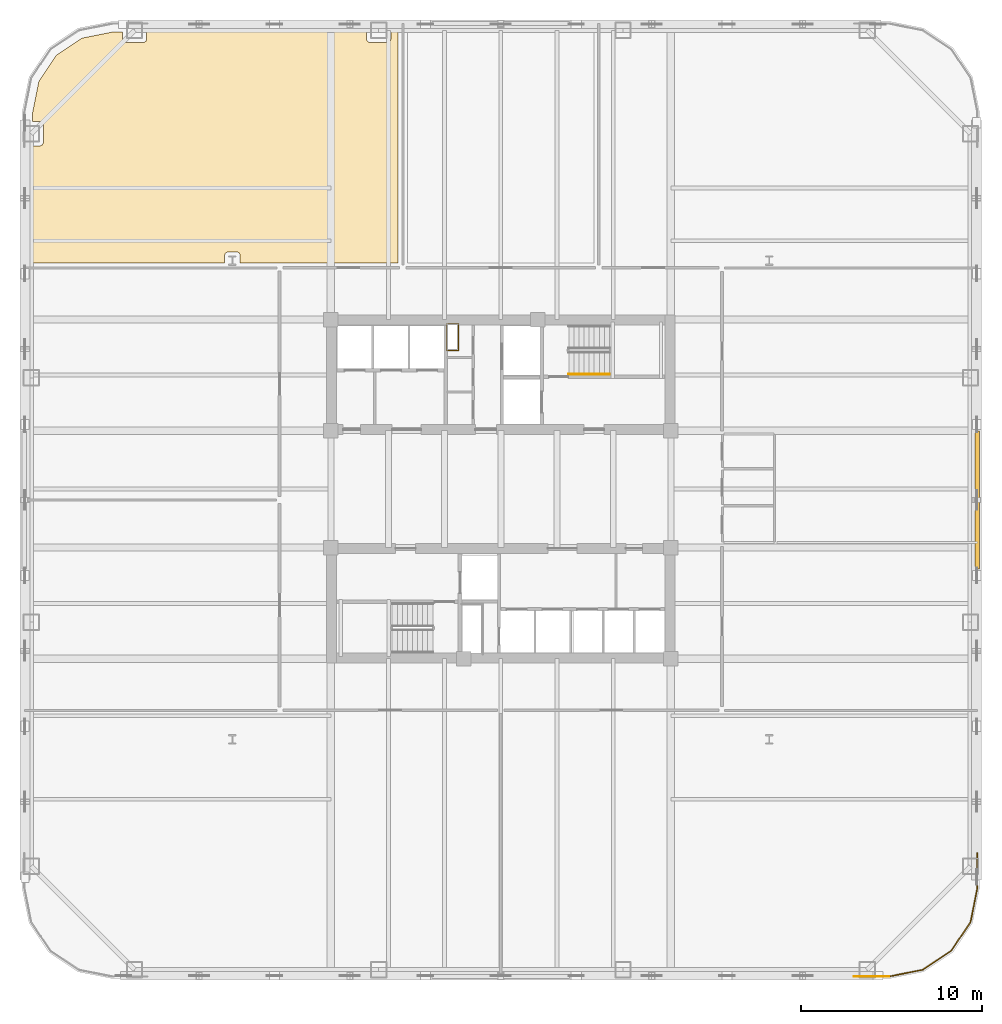
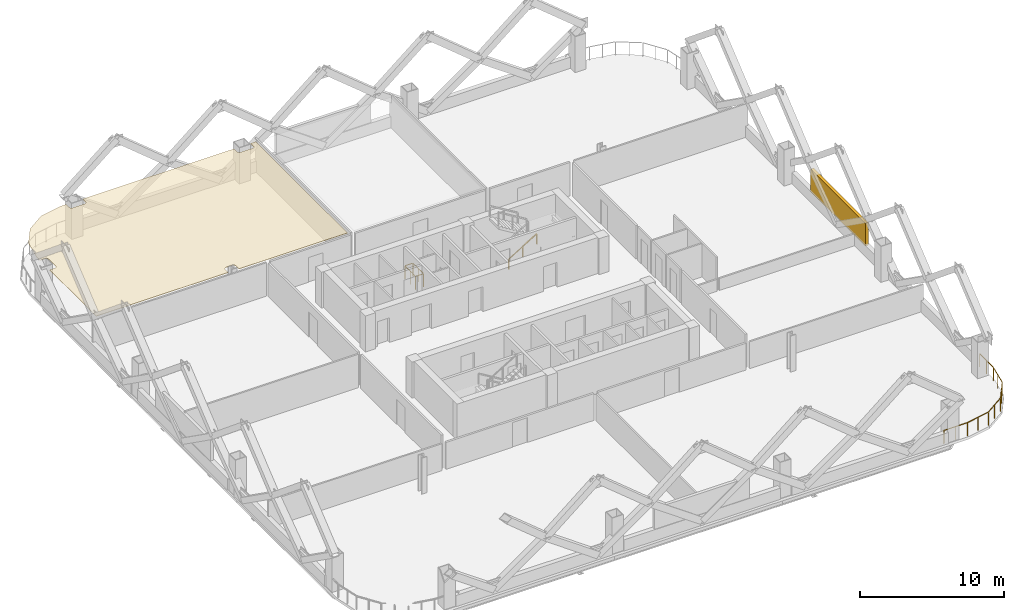
# One storey, part 9 of 12: 4 railings, 1 covering, 1 shading device.
"""IFC4 building model written with IfcOpenShell, lengths in metres."""

import ifcopenshell
import ifcopenshell.guid

model = None  # the IFC model being written
_history = None  # IfcOwnerHistory: only IFC2X3 demands one
_inside = {}  # id of a spatial element -> (the spatial element, [elements in it])
_under = {}  # id of a project, library or spatial element -> (it, [spatial elements below it])
_declared = {}  # id of a project -> (the project, [libraries it declares])
_typed = {}  # id of a type object -> (the type object, [elements of that type])
_made_of = {}  # id of a material, layer set ... -> (it, [elements and type objects made of it])


def new_model(schema):
    """Start an empty IFC model of exactly this schema.

    Asked for "IFC4X3", IfcOpenShell would pick the latest addendum, in which some entities
    have other attributes; the version numbers below select the first issue.
    IFC2X3 requires an IfcOwnerHistory on every rooted entity: one is made here for all.
    """
    global model, _history
    if schema == "IFC4X3":
        model = ifcopenshell.file(schema_version=(4, 3, 0, 0))
    else:
        model = ifcopenshell.file(schema=schema)
    _inside.clear()
    _under.clear()
    _declared.clear()
    _typed.clear()
    _made_of.clear()
    _history = None
    if model.schema == "IFC2X3":
        org = make("IfcOrganization", Name="unknown")
        user = make(
            "IfcPersonAndOrganization",
            ThePerson=make("IfcPerson", FamilyName="unknown"),
            TheOrganization=org,
        )
        app = make(
            "IfcApplication",
            ApplicationDeveloper=org,
            Version="unknown",
            ApplicationFullName="unknown",
            ApplicationIdentifier="unknown",
        )
        _history = make(
            "IfcOwnerHistory",
            OwningUser=user,
            OwningApplication=app,
            ChangeAction="ADDED",
            CreationDate=0,
        )
    return model


def make(cls, **values):
    """One entity of the class cls with the attributes given. An attribute that is None is left unset."""
    return model.create_entity(
        cls, **{name: value for name, value in values.items() if value is not None}
    )


def rooted(cls, **values):
    """An entity with a GlobalId (a new one), such as an element, a storey or a relation."""
    return make(cls, GlobalId=ifcopenshell.guid.new(), OwnerHistory=_history, **values)


def si_unit(unit_type, name, prefix=None):
    """IfcSIUnit, for example si_unit("LENGTHUNIT", "METRE", prefix="MILLI")."""
    return make("IfcSIUnit", UnitType=unit_type, Prefix=prefix, Name=name)


def assignment(units):
    """IfcUnitAssignment: the units of a project."""
    return None if units is None else make("IfcUnitAssignment", Units=units)


def point(xyz):
    """IfcCartesianPoint."""
    return None if xyz is None else make("IfcCartesianPoint", Coordinates=xyz)


def direction(xyz):
    """IfcDirection."""
    return None if xyz is None else make("IfcDirection", DirectionRatios=xyz)


def frame(location, z_axis=None, x_axis=None):
    """IfcAxis2Placement3D, a coordinate frame: its origin and axes. An axis left out is left unset."""
    return make(
        "IfcAxis2Placement3D",
        Location=point(location),
        Axis=direction(z_axis),
        RefDirection=direction(x_axis),
    )


def frame_2d(location, x_axis=None):
    """IfcAxis2Placement2D, a coordinate frame in the plane: its origin and x axis."""
    return make(
        "IfcAxis2Placement2D", Location=point(location), RefDirection=direction(x_axis)
    )


def origin():
    """The frame at (0, 0, 0) with its axes left unset."""
    return frame((0.0, 0.0, 0.0))


def origin_2d():
    """The frame at (0, 0) in the plane with its x axis left unset."""
    return frame_2d((0.0, 0.0))


def place(relative_to, where):
    """IfcLocalPlacement: puts the frame where relative to a parent placement (None: the world)."""
    return make(
        "IfcLocalPlacement", PlacementRelTo=relative_to, RelativePlacement=where
    )


def context(
    kind, dimensions, precision=None, world=None, true_north=None, identifier=None
):
    """IfcGeometricRepresentationContext, for example the 3D "Model" context."""
    return make(
        "IfcGeometricRepresentationContext",
        ContextIdentifier=identifier,
        ContextType=kind,
        CoordinateSpaceDimension=dimensions,
        Precision=precision,
        WorldCoordinateSystem=world,
        TrueNorth=true_north,
    )


def subcontext(parent, identifier, kind, view, scale=None):
    """IfcGeometricRepresentationSubContext, for example "Body" below "Model"."""
    return make(
        "IfcGeometricRepresentationSubContext",
        ContextIdentifier=identifier,
        ContextType=kind,
        ParentContext=parent,
        TargetScale=scale,
        TargetView=view,
    )


def project(units=None, contexts=None):
    """IfcProject with its units and contexts."""
    return rooted(
        "IfcProject",
        Name="project",
        RepresentationContexts=contexts,
        UnitsInContext=assignment(units),
    )


def spatial(cls, under=None, at=None, **own):
    """A site, building, storey or space (cls), placed at a placement, below another one or the project."""
    s = rooted(cls, ObjectPlacement=at, **own)
    if under is not None:
        _under.setdefault(under.id(), (under, []))[1].append(s)
    return s


def polyline(points):
    """IfcPolyline through the points."""
    return make("IfcPolyline", Points=[point(p) for p in points])


def profile(cls, at=None, kind="AREA", **sizes):
    """A parametric profile (cls). Its sizes go by their IFC names, for example OverallWidth=200.0."""
    return make(cls, ProfileType=kind, Position=at, **sizes)


def rectangle(**sizes):
    """IfcRectangleProfileDef."""
    return profile("IfcRectangleProfileDef", **sizes)


def outline(outer, holes=None, kind="AREA"):
    """IfcArbitraryClosedProfileDef: a profile drawn as a closed curve; with holes, ...WithVoids."""
    if holes is None:
        return make("IfcArbitraryClosedProfileDef", ProfileType=kind, OuterCurve=outer)
    return make(
        "IfcArbitraryProfileDefWithVoids",
        ProfileType=kind,
        OuterCurve=outer,
        InnerCurves=holes,
    )


def extrude(swept, where, along, depth):
    """IfcExtrudedAreaSolid: the profile swept, set in the frame where, extruded along a direction by depth."""
    return make(
        "IfcExtrudedAreaSolid",
        SweptArea=swept,
        Position=where,
        ExtrudedDirection=direction(along),
        Depth=depth,
    )


def shape(context_of_items, identifier, shape_type, items):
    """IfcShapeRepresentation: the items that make up one representation, for example the "Body"."""
    return make(
        "IfcShapeRepresentation",
        ContextOfItems=context_of_items,
        RepresentationIdentifier=identifier,
        RepresentationType=shape_type,
        Items=items,
    )


def material(Name=None, Category=None):
    """IfcMaterial."""
    return make("IfcMaterial", Name=Name, Category=Category)


def layer(
    of_material, thickness, ventilated=None, Name=None, Category=None, Priority=None
):
    """IfcMaterialLayer: one layer of a wall or slab, of a material (None: an air gap)."""
    return make(
        "IfcMaterialLayer",
        Material=of_material,
        LayerThickness=thickness,
        IsVentilated=ventilated,
        Name=Name,
        Category=Category,
        Priority=Priority,
    )


def layer_set(layers, Name=None):
    """IfcMaterialLayerSet."""
    return make("IfcMaterialLayerSet", MaterialLayers=layers, LayerSetName=Name)


def made_of(thing, what):
    """Note that an element or type object is made of a material, layer set ...; save() writes the relation."""
    if what is not None:
        _made_of.setdefault(what.id(), (what, []))[1].append(thing)
    return thing


def type_object(cls, material=None, **own):
    """A type object (cls), such as IfcWallType, which elements share."""
    return made_of(rooted(cls, **own), material)


def element(
    cls,
    number,
    at=None,
    inside=None,
    cuts=None,
    type_object=None,
    material=None,
    context=None,
    identifier="Body",
    shape_type=None,
    held_by="IfcProductDefinitionShape",
    body=None,
    shapes=None,
    **own,
):
    """One element of the class cls, such as IfcWall. Its Tag is "e" and its number.

    at: its placement. inside: the storey or other place that contains it. cuts: it is an
    opening in that element (IfcRelVoidsElement). A single representation is given by context,
    identifier, shape_type and body (its items); several are given by shapes. held_by: the class
    of the entity that holds the representations. save() writes the other relations.
    """
    e = rooted(cls, Tag="e%d" % number, ObjectPlacement=at, **own)
    if body is not None:
        shapes = [shape(context, identifier, shape_type, body)]
    if shapes is not None:
        e.Representation = make(held_by, Representations=shapes)
    if inside is not None:
        _inside.setdefault(inside.id(), (inside, []))[1].append(e)
    if cuts is not None:
        rooted(
            "IfcRelVoidsElement", RelatingBuildingElement=cuts, RelatedOpeningElement=e
        )
    if type_object is not None:
        _typed.setdefault(type_object.id(), (type_object, []))[1].append(e)
    return made_of(e, material)


def aggregate(whole, parts):
    """IfcRelAggregates: a whole, such as a stair, and the parts it consists of."""
    return rooted("IfcRelAggregates", RelatingObject=whole, RelatedObjects=parts)


def save(model, path):
    """Write the relations noted so far, then the file.

    IfcRelAggregates (storeys below a building ...), IfcRelContainedInSpatialStructure (elements
    in a storey), IfcRelDefinesByType, IfcRelAssociatesMaterial and IfcRelDeclares: one each for
    every whole, place, type object, material and project.
    """
    for whole, parts in _under.values():
        aggregate(whole, parts)
    for where, things in _inside.values():
        rooted(
            "IfcRelContainedInSpatialStructure",
            RelatedElements=things,
            RelatingStructure=where,
        )
    for kind, things in _typed.values():
        rooted("IfcRelDefinesByType", RelatedObjects=things, RelatingType=kind)
    for what, things in _made_of.values():
        rooted("IfcRelAssociatesMaterial", RelatedObjects=things, RelatingMaterial=what)
    for by, libraries in _declared.values():
        rooted("IfcRelDeclares", RelatingContext=by, RelatedDefinitions=libraries)
    model.write(path)


model = new_model("IFC4")

# Units and contexts
model_context = context("Model", 3, precision=1e-05, world=origin(), true_north=direction((0.0, 1.0)))
body_context = subcontext(model_context, "Body", "Model", "MODEL_VIEW")
ifc_project = project(units=[si_unit("LENGTHUNIT", "METRE"), si_unit("AREAUNIT", "SQUARE_METRE"), si_unit("VOLUMEUNIT", "CUBIC_METRE"), si_unit("PLANEANGLEUNIT", "RADIAN"), si_unit("MASSUNIT", "GRAM", prefix="KILO")], contexts=[model_context])

# Site, building, storey
site_placement = place(None, origin())
site = spatial("IfcSite", under=ifc_project, at=site_placement, CompositionType="ELEMENT")
building_placement = place(site_placement, origin())
building = spatial("IfcBuilding", under=site, at=building_placement, Name="Qhalaya Broadcast Tower", CompositionType="ELEMENT")
storey_placement = place(building_placement, frame((0.0, 0.0, 50.5)))
storey = spatial("IfcBuildingStorey", under=building, at=storey_placement, Name="L14", CompositionType="ELEMENT", Elevation=50.5)

# Covering
ifc_material_1 = material(Name="Acoustic Mineral-Fibre Ceiling")
ifc_layer = layer(ifc_material_1, 0.0400390625, Name="Acoustic Mineral-Fibre Ceiling")
ifc_layer_set = layer_set([ifc_layer], Name="Acoustic Mineral-Fibre Ceiling")
covering_type = type_object("IfcCoveringType", Name="Acoustic Mineral-Fibre Suspended Ceiling CLG-01", PredefinedType="CEILING", material=ifc_layer_set)
covering_placement = place(storey_placement, frame((0.0, 0.0, 2.7900390625)))
element("IfcCovering", 1, at=covering_placement, inside=storey, type_object=covering_type, Name="L14 Acoustic Suspended Ceiling 01", PredefinedType="CEILING", context=body_context, shape_type="SweptSolid", body=[
    extrude(outline(polyline([(-25.820068359375, 19.530029296875), (-25.820068359375, 13.06005859375), (-15.22900390625, 13.06005859375), (-15.22900390625, 13.47509765625), (-15.22802734375, 13.49462890625), (-15.22509765625, 13.513916015625), (-15.220458984375, 13.533203125), (-15.2138671875, 13.551513671875), (-15.205322265625, 13.5693359375), (-15.1953125, 13.586181640625), (-15.18359375, 13.601806640625), (-15.17041015625, 13.616455078125), (-15.156005859375, 13.629638671875), (-15.14013671875, 13.641357421875), (-15.123291015625, 13.6513671875), (-15.10546875, 13.659912109375), (-15.087158203125, 13.66650390625), (-15.068115234375, 13.671142578125), (-15.048583984375, 13.674072265625), (-15.029052734375, 13.675048828125), (-14.571044921875, 13.675048828125), (-14.551513671875, 13.674072265625), (-14.531982421875, 13.671142578125), (-14.512939453125, 13.66650390625), (-14.494384765625, 13.659912109375), (-14.476806640625, 13.6513671875), (-14.4599609375, 13.641357421875), (-14.444091796875, 13.629638671875), (-14.4296875, 13.616455078125), (-14.41650390625, 13.601806640625), (-14.40478515625, 13.586181640625), (-14.39453125, 13.5693359375), (-14.38623046875, 13.551513671875), (-14.379638671875, 13.533203125), (-14.374755859375, 13.513916015625), (-14.3720703125, 13.49462890625), (-14.37109375, 13.47509765625), (-14.37109375, 13.06005859375), (-5.659912109375, 13.06005859375), (-5.659912109375, 25.820068359375), (-6.063232421875, 25.820068359375), (-6.063232421875, 25.429931640625), (-6.064208984375, 25.410400390625), (-6.067138671875, 25.39111328125), (-6.072021484375, 25.371826171875), (-6.07861328125, 25.353515625), (-6.0869140625, 25.335693359375), (-6.096923828125, 25.31884765625), (-6.108642578125, 25.302978515625), (-6.121826171875, 25.28857421875), (-6.136474609375, 25.275390625), (-6.152099609375, 25.263671875), (-6.1689453125, 25.253662109375), (-6.186767578125, 25.2451171875), (-6.205078125, 25.238525390625), (-6.224365234375, 25.23388671875), (-6.24365234375, 25.23095703125), (-6.26318359375, 25.22998046875), (-7.203369140625, 25.22998046875), (-7.222900390625, 25.23095703125), (-7.2421875, 25.23388671875), (-7.261474609375, 25.238525390625), (-7.27978515625, 25.2451171875), (-7.297607421875, 25.253662109375), (-7.314453125, 25.263671875), (-7.330078125, 25.275390625), (-7.3447265625, 25.28857421875), (-7.35791015625, 25.302978515625), (-7.36962890625, 25.31884765625), (-7.379638671875, 25.335693359375), (-7.38818359375, 25.353515625), (-7.394775390625, 25.371826171875), (-7.3994140625, 25.39111328125), (-7.40234375, 25.410400390625), (-7.4033203125, 25.429931640625), (-7.4033203125, 25.820068359375), (-19.530029296875, 25.820068359375), (-19.530029296875, 25.429931640625), (-19.531005859375, 25.410400390625), (-19.53369140625, 25.39111328125), (-19.53857421875, 25.371826171875), (-19.545166015625, 25.353515625), (-19.5537109375, 25.335693359375), (-19.563720703125, 25.31884765625), (-19.575439453125, 25.302978515625), (-19.588623046875, 25.28857421875), (-19.60302734375, 25.275390625), (-19.618896484375, 25.263671875), (-19.6357421875, 25.253662109375), (-19.653564453125, 25.2451171875), (-19.671875, 25.238525390625), (-19.69091796875, 25.23388671875), (-19.71044921875, 25.23095703125), (-19.72998046875, 25.22998046875), (-20.669921875, 25.22998046875), (-20.689697265625, 25.23095703125), (-20.708984375, 25.23388671875), (-20.72802734375, 25.238525390625), (-20.74658203125, 25.2451171875), (-20.764404296875, 25.253662109375), (-20.781005859375, 25.263671875), (-20.796875, 25.275390625), (-20.811279296875, 25.28857421875), (-20.82470703125, 25.302978515625), (-20.836181640625, 25.31884765625), (-20.846435546875, 25.335693359375), (-20.854736328125, 25.353515625), (-20.861328125, 25.371826171875), (-20.8662109375, 25.39111328125), (-20.868896484375, 25.410400390625), (-20.8701171875, 25.429931640625), (-20.8701171875, 25.820068359375), (-21.343017578125, 25.820068359375), (-23.087158203125, 25.472900390625), (-24.517333984375, 24.517333984375), (-25.472900390625, 23.087158203125), (-25.820068359375, 21.343017578125), (-25.820068359375, 20.8701171875), (-25.429931640625, 20.8701171875), (-25.410400390625, 20.868896484375), (-25.39111328125, 20.8662109375), (-25.371826171875, 20.861328125), (-25.353515625, 20.854736328125), (-25.335693359375, 20.846435546875), (-25.31884765625, 20.836181640625), (-25.302978515625, 20.82470703125), (-25.28857421875, 20.811279296875), (-25.275390625, 20.796875), (-25.263671875, 20.781005859375), (-25.253662109375, 20.764404296875), (-25.2451171875, 20.74658203125), (-25.238525390625, 20.72802734375), (-25.23388671875, 20.708984375), (-25.23095703125, 20.689697265625), (-25.22998046875, 20.669921875), (-25.22998046875, 19.72998046875), (-25.23095703125, 19.71044921875), (-25.23388671875, 19.69091796875), (-25.238525390625, 19.671875), (-25.2451171875, 19.653564453125), (-25.253662109375, 19.6357421875), (-25.263671875, 19.618896484375), (-25.275390625, 19.60302734375), (-25.28857421875, 19.588623046875), (-25.302978515625, 19.575439453125), (-25.31884765625, 19.563720703125), (-25.335693359375, 19.5537109375), (-25.353515625, 19.545166015625), (-25.371826171875, 19.53857421875), (-25.39111328125, 19.53369140625), (-25.410400390625, 19.531005859375), (-25.429931640625, 19.530029296875), (-25.820068359375, 19.530029296875)])), origin(), (0.0, 0.0, 1.0), 0.0400390625),
])

# Railings
ifc_material_2 = material(Name="Powder-Coated Galvanised Steel", Category="steel")
railing_type_1 = type_object("IfcRailingType", Name="Stair Wall Handrail 900", PredefinedType="HANDRAIL", material=ifc_material_2)
railing_1_placement = place(storey_placement, frame((3.75, 6.929931640625, 0.16943359375)))
element("IfcRailing", 2, at=railing_1_placement, inside=storey, type_object=railing_type_1, Name="L14 ST-1 Stair Handrail 1", PredefinedType="HANDRAIL", context=body_context, shape_type="SweptSolid", body=[
    extrude(rectangle(XDim=0.048095703125, YDim=0.048095703125, at=origin_2d()), frame((0.0, 0.0, 0.8759765625), z_axis=(0.855553338991, 0.0, 0.51771467445), x_axis=(0.0, 1.0, 0.0)), (0.0, 0.0, 1.0), 2.6181640625),
    extrude(rectangle(XDim=0.0419921875, YDim=0.0419921875, at=origin_2d()), origin(), (0.0, 0.0, 1.0), 0.849853515625),
    extrude(rectangle(XDim=0.0419921875, YDim=0.0419921875, at=origin_2d()), frame((1.1201171875, 0.0, 0.677734375)), (0.0, 0.0, 1.0), 0.849853515625),
    extrude(rectangle(XDim=0.0419921875, YDim=0.0419921875, at=origin_2d()), frame((2.239990234375, 0.0, 1.35546875)), (0.0, 0.0, 1.0), 0.849853515625),
])
railing_type_2 = type_object("IfcRailingType", Name="Stair Well & Landing Guardrail 1100", PredefinedType="GUARDRAIL", material=ifc_material_2)
railing_2_placement = place(storey_placement, frame((-2.340087890625, 8.239990234375, 0.0)))
element("IfcRailing", 3, at=railing_2_placement, inside=storey, type_object=railing_type_2, Name="L14 Service Riser Opening Safety Guard NRSR", PredefinedType="GUARDRAIL", context=body_context, shape_type="SweptSolid", body=[
    extrude(rectangle(XDim=0.048095703125, YDim=0.048095703125, at=origin_2d()), frame((0.0, 0.02880859375, 1.1259765625), z_axis=(0.0, 1.0, 0.0), x_axis=(-1.0, 0.0, 0.0)), (0.0, 0.0, 1.0), 1.42236328125),
    extrude(rectangle(XDim=0.048095703125, YDim=0.048095703125, at=origin_2d()), frame((-0.02880859375, 1.47998046875, 1.1259765625), z_axis=(-1.0, 0.0, 0.0), x_axis=(0.0, -1.0, 0.0)), (0.0, 0.0, 1.0), 0.582275390625),
    extrude(rectangle(XDim=0.048095703125, YDim=0.048095703125, at=origin_2d()), frame((-0.639892578125, 1.451171875, 1.1259765625), z_axis=(0.0, -1.0, 0.0), x_axis=(1.0, 0.0, 0.0)), (0.0, 0.0, 1.0), 1.42236328125),
    extrude(rectangle(XDim=0.048095703125, YDim=0.048095703125, at=origin_2d()), frame((-0.611083984375, 0.0, 1.1259765625), z_axis=(1.0, 0.0, 0.0), x_axis=(0.0, 1.0, 0.0)), (0.0, 0.0, 1.0), 0.582275390625),
    extrude(rectangle(XDim=0.0419921875, YDim=0.0419921875, at=origin_2d()), origin(), (0.0, 0.0, 1.0), 1.099853515625),
    extrude(rectangle(XDim=0.0419921875, YDim=0.0419921875, at=origin_2d()), frame((0.0, 0.739990234375, 0.0)), (0.0, 0.0, 1.0), 1.099853515625),
    extrude(rectangle(XDim=0.0419921875, YDim=0.0419921875, at=origin_2d()), frame((0.0, 1.47998046875, 0.0)), (0.0, 0.0, 1.0), 1.099853515625),
    extrude(rectangle(XDim=0.0419921875, YDim=0.0419921875, at=origin_2d()), frame((-0.639892578125, 1.47998046875, 0.0)), (0.0, 0.0, 1.0), 1.099853515625),
    extrude(rectangle(XDim=0.0419921875, YDim=0.0419921875, at=origin_2d()), frame((-0.639892578125, 0.739990234375, 0.0)), (0.0, 0.0, 1.0), 1.099853515625),
    extrude(rectangle(XDim=0.0419921875, YDim=0.0419921875, at=origin_2d()), frame((-0.639892578125, 0.0, 0.0)), (0.0, 0.0, 1.0), 1.099853515625),
])
railing_type_3 = type_object("IfcRailingType", Name="Terrace, Sky-Pool & Lookout Glass Balustrade 1150", PredefinedType="BALUSTRADE", material=ifc_material_2)
railing_3_placement = place(storey_placement, frame((21.38818359375, -26.280029296875, 0.0)))
element("IfcRailing", 4, at=railing_3_placement, inside=storey, type_object=railing_type_3, Name="L14 Rounded Corner Perimeter Guard 01", PredefinedType="BALUSTRADE", context=body_context, shape_type="SweptSolid", body=[
    extrude(rectangle(XDim=0.048095703125, YDim=0.048095703125, at=origin_2d()), frame((0.0, 0.0, 1.1259765625), z_axis=(-1.0, 0.0, 0.0), x_axis=(0.0, -1.0, 0.0)), (0.0, 0.0, 1.0), 1.90625),
    extrude(rectangle(XDim=0.0419921875, YDim=0.0419921875, at=origin_2d()), origin(), (0.0, 0.0, 1.0), 1.099853515625),
    extrude(rectangle(XDim=0.0419921875, YDim=0.0419921875, at=origin_2d()), frame((-0.953125, 0.0, 0.0)), (0.0, 0.0, 1.0), 1.099853515625),
    extrude(rectangle(XDim=0.0419921875, YDim=0.0419921875, at=origin_2d()), frame((-1.90625, 0.0, 0.0)), (0.0, 0.0, 1.0), 1.099853515625),
])
railing_4_placement = place(storey_placement, frame((26.280029296875, -19.48193359375, 0.0)))
element("IfcRailing", 5, at=railing_4_placement, inside=storey, type_object=railing_type_3, Name="L14 Rounded Corner Perimeter Guard 05", PredefinedType="BALUSTRADE", context=body_context, shape_type="SweptSolid", body=[
    extrude(rectangle(XDim=0.048095703125, YDim=0.048095703125, at=origin_2d()), frame((0.0, 0.0, 1.1259765625), z_axis=(0.0, -1.0, 0.0), x_axis=(1.0, 0.0, 0.0)), (0.0, 0.0, 1.0), 1.87744140625),
    extrude(rectangle(XDim=0.048095703125, YDim=0.048095703125, at=origin_2d()), frame((-0.005615234375, -1.9345703125, 1.1259765625), z_axis=(-0.195037378397, -0.980795810058, 0.0), x_axis=(0.980795810058, -0.195037378397, 0.0)), (0.0, 0.0, 1.0), 1.857421875),
    extrude(rectangle(XDim=0.048095703125, YDim=0.048095703125, at=origin_2d()), frame((-0.3896484375, -3.80859375, 1.1259765625), z_axis=(-0.555558355728, -0.831477548332, 0.0), x_axis=(0.831477548332, -0.555558355728, 0.0)), (0.0, 0.0, 1.0), 1.845458984375),
    extrude(rectangle(XDim=0.048095703125, YDim=0.048095703125, at=origin_2d()), frame((-1.454833984375, -5.38330078125, 1.1259765625), z_axis=(-0.831477548332, -0.555558355728, 0.0), x_axis=(0.555558355728, -0.831477548332, 0.0)), (0.0, 0.0, 1.0), 1.845458984375),
    extrude(rectangle(XDim=0.048095703125, YDim=0.048095703125, at=origin_2d()), frame((-3.041748046875, -6.43017578125, 1.1259765625), z_axis=(-0.980795810058, -0.195037378397, 0.0), x_axis=(0.195037378397, -0.980795810058, 0.0)), (0.0, 0.0, 1.0), 1.88623046875),
    extrude(rectangle(XDim=0.0419921875, YDim=0.0419921875, at=origin_2d()), origin(), (0.0, 0.0, 1.0), 1.099853515625),
    extrude(rectangle(XDim=0.0419921875, YDim=0.0419921875, at=origin_2d()), frame((0.0, -0.953125, 0.0)), (0.0, 0.0, 1.0), 1.099853515625),
    extrude(rectangle(XDim=0.0419921875, YDim=0.0419921875, at=origin_2d()), frame((0.0, -1.90625, 0.0)), (0.0, 0.0, 1.0), 1.099853515625),
    extrude(rectangle(XDim=0.0419921875, YDim=0.0419921875, at=origin_2d()), frame((-0.186767578125, -2.845458984375, 0.0)), (0.0, 0.0, 1.0), 1.099853515625),
    extrude(rectangle(XDim=0.0419921875, YDim=0.0419921875, at=origin_2d()), frame((-0.37353515625, -3.78466796875, 0.0)), (0.0, 0.0, 1.0), 1.099853515625),
    extrude(rectangle(XDim=0.0419921875, YDim=0.0419921875, at=origin_2d()), frame((-0.90234375, -4.575927734375, 0.0)), (0.0, 0.0, 1.0), 1.099853515625),
    extrude(rectangle(XDim=0.0419921875, YDim=0.0419921875, at=origin_2d()), frame((-1.430908203125, -5.3671875, 0.0)), (0.0, 0.0, 1.0), 1.099853515625),
    extrude(rectangle(XDim=0.0419921875, YDim=0.0419921875, at=origin_2d()), frame((-2.22216796875, -5.89599609375, 0.0)), (0.0, 0.0, 1.0), 1.099853515625),
    extrude(rectangle(XDim=0.0419921875, YDim=0.0419921875, at=origin_2d()), frame((-3.013427734375, -6.424560546875, 0.0)), (0.0, 0.0, 1.0), 1.099853515625),
    extrude(rectangle(XDim=0.0419921875, YDim=0.0419921875, at=origin_2d()), frame((-3.95263671875, -6.611328125, 0.0)), (0.0, 0.0, 1.0), 1.099853515625),
    extrude(rectangle(XDim=0.0419921875, YDim=0.0419921875, at=origin_2d()), frame((-4.891845703125, -6.798095703125, 0.0)), (0.0, 0.0, 1.0), 1.099853515625),
])

# Shading device
ifc_material_3 = material(Name="Fired Architectural Terracotta", Category="masonry")
shading_device_type = type_object("IfcShadingDeviceType", Name="Terracotta Baguette Solar Screen Assembly TBS-01", PredefinedType="USERDEFINED", material=ifc_material_3)
shading_device_placement = place(storey_placement, frame((26.280029296875, 0.0, 0.79248046875), z_axis=(0.0, 0.0, 1.0), x_axis=(0.0, 1.0, 0.0)))
element("IfcShadingDevice", 6, at=shading_device_placement, inside=storey, type_object=shading_device_type, Name="L14 Fired Terracotta Baguette Screen E", ObjectType="BAGUETTE", PredefinedType="USERDEFINED", context=body_context, shape_type="SweptSolid", body=[
    extrude(rectangle(XDim=7.60009765625, YDim=0.239990234375, at=origin_2d()), origin(), (0.0, 0.0, 1.0), 1.924072265625),
])

save(model, "model.ifc")
